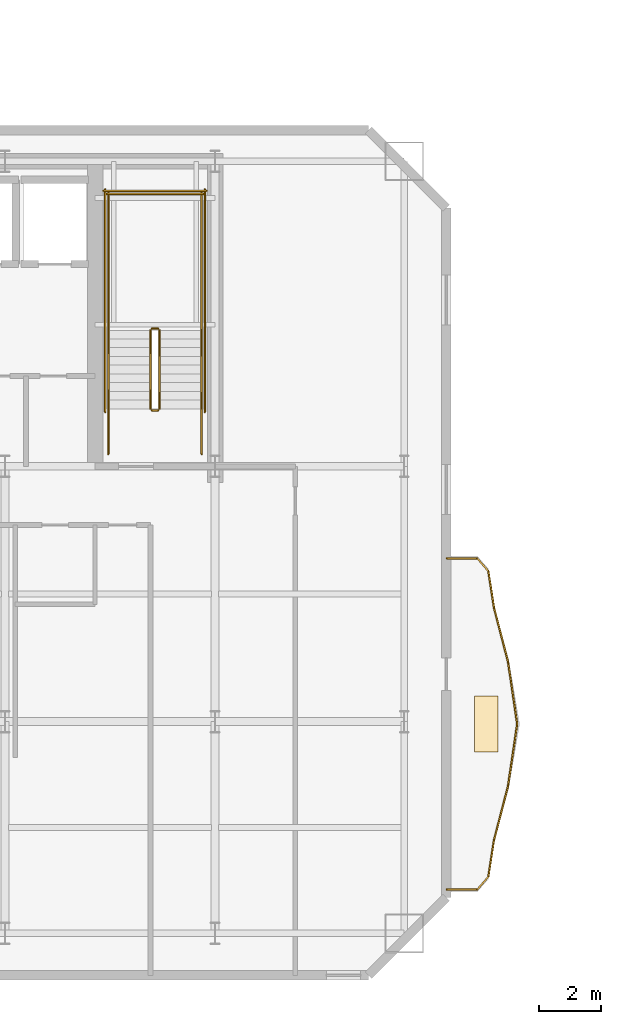
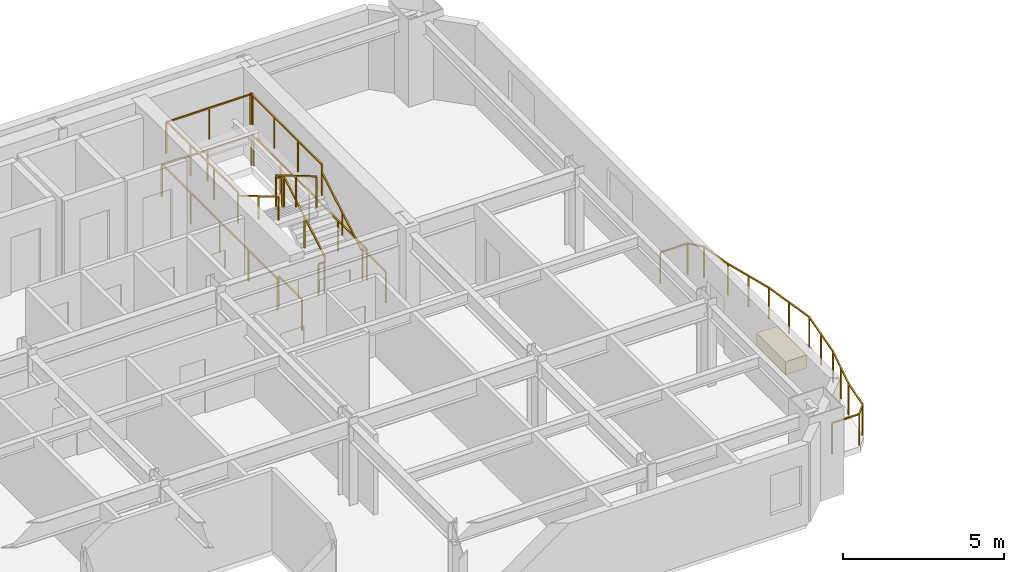
# One storey, part 11 of 14: 24 railings, 1 covering.
"""IFC4 building model written with IfcOpenShell, lengths in metres."""

from ifc_helpers import new_model, si_unit, direction, frame, origin, origin_2d, place, context, subcontext, project, spatial, rectangle, extrude, material, layer, layer_set, type_object, element, save


model = new_model("IFC4")

# Units and contexts
model_context = context("Model", 3, precision=1e-05, world=origin(), true_north=direction((0.0, 1.0)))
body_context = subcontext(model_context, "Body", "Model", "MODEL_VIEW")
ifc_project = project(units=[si_unit("LENGTHUNIT", "METRE"), si_unit("AREAUNIT", "SQUARE_METRE"), si_unit("VOLUMEUNIT", "CUBIC_METRE"), si_unit("PLANEANGLEUNIT", "RADIAN"), si_unit("MASSUNIT", "GRAM", prefix="KILO")], contexts=[model_context])

# Site, building, storey
site_placement = place(None, origin())
site = spatial("IfcSite", under=ifc_project, at=site_placement, CompositionType="ELEMENT")
building_placement = place(site_placement, origin())
building = spatial("IfcBuilding", under=site, at=building_placement, Name="Haevon Station Towers", CompositionType="ELEMENT")
storey_placement = place(building_placement, frame((0.0, 0.0, 169.199951171875)))
storey = spatial("IfcBuildingStorey", under=building, at=storey_placement, Name="L46", CompositionType="ELEMENT", Elevation=169.199951171875)

# Railings
ifc_material_1 = material(Name="Steel S355", Category="steel")
railing_type_1 = type_object("IfcRailingType", Name="GRD-EXT1200", PredefinedType="GUARDRAIL", material=ifc_material_1)
railing_1_placement = place(storey_placement, frame((58.448486328125, 24.602783203125, 0.0)))
element("IfcRailing", 1, at=railing_1_placement, inside=storey, type_object=railing_type_1, Name="L46 Perimeter Guardrail 1", PredefinedType="GUARDRAIL", context=body_context, shape_type="SweptSolid", body=[
    extrude(rectangle(XDim=0.048095703125, YDim=0.048095703125, at=origin_2d()), frame((0.0, 0.0, 1.17578125), z_axis=(0.999997457331, 0.002255068182, 0.0), x_axis=(-0.002255068182, 0.999997457331, 0.0)), (0.0, 0.0, 1.0), 0.974365234375),
    extrude(rectangle(XDim=0.0419921875, YDim=0.0419921875, at=origin_2d()), origin(), (0.0, 0.0, 1.0), 1.15185546875),
    extrude(rectangle(XDim=0.0419921875, YDim=0.0419921875, at=origin_2d()), frame((0.974365234375, 0.002197265625, 0.0)), (0.0, 0.0, 1.0), 1.15185546875),
])
railing_2_placement = place(storey_placement, frame((59.4228515625, 24.60498046875, 0.0)))
element("IfcRailing", 2, at=railing_2_placement, inside=storey, type_object=railing_type_1, Name="L46 Perimeter Guardrail 2", PredefinedType="GUARDRAIL", context=body_context, shape_type="SweptSolid", body=[
    extrude(rectangle(XDim=0.048095703125, YDim=0.048095703125, at=origin_2d()), frame((0.0, 0.0, 1.17578125), z_axis=(0.65275272143, 0.757571042652, 0.0), x_axis=(-0.757571042652, 0.65275272143, 0.0)), (0.0, 0.0, 1.0), 0.542724609375),
    extrude(rectangle(XDim=0.0419921875, YDim=0.0419921875, at=origin_2d()), origin(), (0.0, 0.0, 1.0), 1.15185546875),
    extrude(rectangle(XDim=0.0419921875, YDim=0.0419921875, at=origin_2d()), frame((0.354248046875, 0.4111328125, 0.0)), (0.0, 0.0, 1.0), 1.15185546875),
])
railing_3_placement = place(storey_placement, frame((59.777099609375, 25.01611328125, 0.0)))
element("IfcRailing", 3, at=railing_3_placement, inside=storey, type_object=railing_type_1, Name="L46 Perimeter Guardrail 3", PredefinedType="GUARDRAIL", context=body_context, shape_type="SweptSolid", body=[
    extrude(rectangle(XDim=0.048095703125, YDim=0.048095703125, at=origin_2d()), frame((0.0, 0.0, 1.17578125), z_axis=(0.152150136811, 0.988357392783, 0.0), x_axis=(-0.988357392783, 0.152150136811, 0.0)), (0.0, 0.0, 1.0), 1.18408203125),
    extrude(rectangle(XDim=0.0419921875, YDim=0.0419921875, at=origin_2d()), origin(), (0.0, 0.0, 1.0), 1.15185546875),
    extrude(rectangle(XDim=0.0419921875, YDim=0.0419921875, at=origin_2d()), frame((0.18017578125, 1.17041015625, 0.0)), (0.0, 0.0, 1.0), 1.15185546875),
])
railing_4_placement = place(storey_placement, frame((59.957275390625, 26.1865234375, 0.0)))
element("IfcRailing", 4, at=railing_4_placement, inside=storey, type_object=railing_type_1, Name="L46 Perimeter Guardrail 4", PredefinedType="GUARDRAIL", context=body_context, shape_type="SweptSolid", body=[
    extrude(rectangle(XDim=0.048095703125, YDim=0.048095703125, at=origin_2d()), frame((0.0, 0.0, 1.17578125), z_axis=(0.251243717218, 0.967923857831, 0.0), x_axis=(-0.967923857831, 0.251243717218, 0.0)), (0.0, 0.0, 1.0), 1.805419921875),
    extrude(rectangle(XDim=0.0419921875, YDim=0.0419921875, at=origin_2d()), origin(), (0.0, 0.0, 1.0), 1.15185546875),
    extrude(rectangle(XDim=0.0419921875, YDim=0.0419921875, at=origin_2d()), frame((0.226806640625, 0.873779296875, 0.0)), (0.0, 0.0, 1.0), 1.15185546875),
    extrude(rectangle(XDim=0.0419921875, YDim=0.0419921875, at=origin_2d()), frame((0.45361328125, 1.74755859375, 0.0)), (0.0, 0.0, 1.0), 1.15185546875),
])
railing_5_placement = place(storey_placement, frame((60.410888671875, 27.93408203125, 0.0)))
element("IfcRailing", 5, at=railing_5_placement, inside=storey, type_object=railing_type_1, Name="L46 Perimeter Guardrail 5", PredefinedType="GUARDRAIL", context=body_context, shape_type="SweptSolid", body=[
    extrude(rectangle(XDim=0.048095703125, YDim=0.048095703125, at=origin_2d()), frame((0.0, 0.0, 1.17578125), z_axis=(0.14558130584, 0.989346290937, 0.0), x_axis=(-0.989346290937, 0.14558130584, 0.0)), (0.0, 0.0, 1.0), 2.012451171875),
    extrude(rectangle(XDim=0.0419921875, YDim=0.0419921875, at=origin_2d()), origin(), (0.0, 0.0, 1.0), 1.15185546875),
    extrude(rectangle(XDim=0.0419921875, YDim=0.0419921875, at=origin_2d()), frame((0.146484375, 0.99560546875, 0.0)), (0.0, 0.0, 1.0), 1.15185546875),
    extrude(rectangle(XDim=0.0419921875, YDim=0.0419921875, at=origin_2d()), frame((0.29296875, 1.990966796875, 0.0)), (0.0, 0.0, 1.0), 1.15185546875),
])
railing_6_placement = place(storey_placement, frame((60.703857421875, 29.925048828125, 0.0)))
element("IfcRailing", 6, at=railing_6_placement, inside=storey, type_object=railing_type_1, Name="L46 Perimeter Guardrail 6", PredefinedType="GUARDRAIL", context=body_context, shape_type="SweptSolid", body=[
    extrude(rectangle(XDim=0.048095703125, YDim=0.048095703125, at=origin_2d()), frame((0.0, 0.0, 1.17578125), z_axis=(-0.14558130584, 0.989346290937, 0.0), x_axis=(-0.989346290937, -0.14558130584, 0.0)), (0.0, 0.0, 1.0), 2.012451171875),
    extrude(rectangle(XDim=0.0419921875, YDim=0.0419921875, at=origin_2d()), origin(), (0.0, 0.0, 1.0), 1.15185546875),
    extrude(rectangle(XDim=0.0419921875, YDim=0.0419921875, at=origin_2d()), frame((-0.146484375, 0.99560546875, 0.0)), (0.0, 0.0, 1.0), 1.15185546875),
    extrude(rectangle(XDim=0.0419921875, YDim=0.0419921875, at=origin_2d()), frame((-0.29296875, 1.990966796875, 0.0)), (0.0, 0.0, 1.0), 1.15185546875),
])
railing_7_placement = place(storey_placement, frame((60.410888671875, 31.916015625, 0.0)))
element("IfcRailing", 7, at=railing_7_placement, inside=storey, type_object=railing_type_1, Name="L46 Perimeter Guardrail 7", PredefinedType="GUARDRAIL", context=body_context, shape_type="SweptSolid", body=[
    extrude(rectangle(XDim=0.048095703125, YDim=0.048095703125, at=origin_2d()), frame((0.0, 0.0, 1.17578125), z_axis=(-0.251243717218, 0.967923857831, 0.0), x_axis=(-0.967923857831, -0.251243717218, 0.0)), (0.0, 0.0, 1.0), 1.805419921875),
    extrude(rectangle(XDim=0.0419921875, YDim=0.0419921875, at=origin_2d()), origin(), (0.0, 0.0, 1.0), 1.15185546875),
    extrude(rectangle(XDim=0.0419921875, YDim=0.0419921875, at=origin_2d()), frame((-0.226806640625, 0.873779296875, 0.0)), (0.0, 0.0, 1.0), 1.15185546875),
    extrude(rectangle(XDim=0.0419921875, YDim=0.0419921875, at=origin_2d()), frame((-0.45361328125, 1.74755859375, 0.0)), (0.0, 0.0, 1.0), 1.15185546875),
])
railing_8_placement = place(storey_placement, frame((59.957275390625, 33.66357421875, 0.0)))
element("IfcRailing", 8, at=railing_8_placement, inside=storey, type_object=railing_type_1, Name="L46 Perimeter Guardrail 8", PredefinedType="GUARDRAIL", context=body_context, shape_type="SweptSolid", body=[
    extrude(rectangle(XDim=0.048095703125, YDim=0.048095703125, at=origin_2d()), frame((0.0, 0.0, 1.17578125), z_axis=(-0.152150136811, 0.988357392783, 0.0), x_axis=(-0.988357392783, -0.152150136811, 0.0)), (0.0, 0.0, 1.0), 1.18408203125),
    extrude(rectangle(XDim=0.0419921875, YDim=0.0419921875, at=origin_2d()), origin(), (0.0, 0.0, 1.0), 1.15185546875),
    extrude(rectangle(XDim=0.0419921875, YDim=0.0419921875, at=origin_2d()), frame((-0.18017578125, 1.17041015625, 0.0)), (0.0, 0.0, 1.0), 1.15185546875),
])
railing_9_placement = place(storey_placement, frame((59.777099609375, 34.833984375, 0.0)))
element("IfcRailing", 9, at=railing_9_placement, inside=storey, type_object=railing_type_1, Name="L46 Perimeter Guardrail 9", PredefinedType="GUARDRAIL", context=body_context, shape_type="SweptSolid", body=[
    extrude(rectangle(XDim=0.048095703125, YDim=0.048095703125, at=origin_2d()), frame((0.0, 0.0, 1.17578125), z_axis=(-0.65275272143, 0.757571042652, 0.0), x_axis=(-0.757571042652, -0.65275272143, 0.0)), (0.0, 0.0, 1.0), 0.542724609375),
    extrude(rectangle(XDim=0.0419921875, YDim=0.0419921875, at=origin_2d()), origin(), (0.0, 0.0, 1.0), 1.15185546875),
    extrude(rectangle(XDim=0.0419921875, YDim=0.0419921875, at=origin_2d()), frame((-0.354248046875, 0.4111328125, 0.0)), (0.0, 0.0, 1.0), 1.15185546875),
])
railing_10_placement = place(storey_placement, frame((59.4228515625, 35.2451171875, 0.0)))
element("IfcRailing", 10, at=railing_10_placement, inside=storey, type_object=railing_type_1, Name="L46 Perimeter Guardrail 10", PredefinedType="GUARDRAIL", context=body_context, shape_type="SweptSolid", body=[
    extrude(rectangle(XDim=0.048095703125, YDim=0.048095703125, at=origin_2d()), frame((0.0, 0.0, 1.17578125), z_axis=(-0.999997990976, 0.002004506121, 0.0), x_axis=(-0.002004506121, -0.999997990976, 0.0)), (0.0, 0.0, 1.0), 0.974365234375),
    extrude(rectangle(XDim=0.0419921875, YDim=0.0419921875, at=origin_2d()), origin(), (0.0, 0.0, 1.0), 1.15185546875),
    extrude(rectangle(XDim=0.0419921875, YDim=0.0419921875, at=origin_2d()), frame((-0.974365234375, 0.001953125, 0.0)), (0.0, 0.0, 1.0), 1.15185546875),
])
railing_type_2 = type_object("IfcRailingType", Name="GRD-STR1200", PredefinedType="GUARDRAIL", material=ifc_material_1)
railing_11_placement = place(storey_placement, frame((49.219970703125, 40.050048828125, 0.1650390625)))
element("IfcRailing", 11, at=railing_11_placement, inside=storey, type_object=railing_type_2, Name="L46 ST2 Stair Guard 1", PredefinedType="GUARDRAIL", context=body_context, shape_type="SweptSolid", body=[
    extrude(rectangle(XDim=0.048095703125, YDim=0.048095703125, at=origin_2d()), frame((0.0, 0.0, 1.17578125), z_axis=(0.0, 0.86152411907, 0.507716645641), x_axis=(-1.0, 0.0, 0.0)), (0.0, 0.0, 1.0), 2.925048828125),
    extrude(rectangle(XDim=0.0419921875, YDim=0.0419921875, at=origin_2d()), origin(), (0.0, 0.0, 1.0), 1.15185546875),
    extrude(rectangle(XDim=0.0419921875, YDim=0.0419921875, at=origin_2d()), frame((0.0, 1.260009765625, 0.74267578125)), (0.0, 0.0, 1.0), 1.15185546875),
    extrude(rectangle(XDim=0.0419921875, YDim=0.0419921875, at=origin_2d()), frame((0.0, 2.52001953125, 1.485107421875)), (0.0, 0.0, 1.0), 1.15185546875),
])
railing_12_placement = place(storey_placement, frame((49.169921875, 42.6201171875, 1.650146484375)))
element("IfcRailing", 12, at=railing_12_placement, inside=storey, type_object=railing_type_2, Name="L46 ST2 Stair Guard 2", PredefinedType="GUARDRAIL", context=body_context, shape_type="SweptSolid", body=[
    extrude(rectangle(XDim=0.048095703125, YDim=0.048095703125, at=origin_2d()), frame((0.0, 0.0, 1.17578125), z_axis=(-1.0, 0.0, 0.0), x_axis=(0.0, -1.0, 0.0)), (0.0, 0.0, 1.0), 0.199951171875),
    extrude(rectangle(XDim=0.0419921875, YDim=0.0419921875, at=origin_2d()), origin(), (0.0, 0.0, 1.0), 1.15185546875),
    extrude(rectangle(XDim=0.0419921875, YDim=0.0419921875, at=origin_2d()), frame((-0.199951171875, 0.0, 0.0)), (0.0, 0.0, 1.0), 1.15185546875),
])
for number, where, name in (
    (13, (50.570068359375, 42.570068359375, 1.650146484375), "L46 ST2 Stair Guard 3"),
    (14, (47.570068359375, 42.570068359375, 1.650146484375), "L46 ST2 Stair Guard 4"),
):
    element("IfcRailing", number, at=place(storey_placement, frame(where)), inside=storey, type_object=railing_type_2, Name=name, PredefinedType="GUARDRAIL", context=body_context, shape_type="SweptSolid", body=[
        extrude(rectangle(XDim=0.048095703125, YDim=0.048095703125, at=origin_2d()), frame((0.0, 0.0, 1.17578125), z_axis=(0.0, 1.0, 0.0), x_axis=(-1.0, 0.0, 0.0)), (0.0, 0.0, 1.0), 4.429931640625),
        extrude(rectangle(XDim=0.0419921875, YDim=0.0419921875, at=origin_2d()), origin(), (0.0, 0.0, 1.0), 1.15185546875),
        extrude(rectangle(XDim=0.0419921875, YDim=0.0419921875, at=origin_2d()), frame((0.0, 1.4765625, 0.0)), (0.0, 0.0, 1.0), 1.15185546875),
        extrude(rectangle(XDim=0.0419921875, YDim=0.0419921875, at=origin_2d()), frame((0.0, 2.953369140625, 0.0)), (0.0, 0.0, 1.0), 1.15185546875),
        extrude(rectangle(XDim=0.0419921875, YDim=0.0419921875, at=origin_2d()), frame((0.0, 4.429931640625, 0.0)), (0.0, 0.0, 1.0), 1.15185546875),
    ])
railing_13_placement = place(storey_placement, frame((50.6201171875, 46.949951171875, 1.650146484375)))
element("IfcRailing", 15, at=railing_13_placement, inside=storey, type_object=railing_type_2, Name="L46 ST2 Stair Guard 5", PredefinedType="GUARDRAIL", context=body_context, shape_type="SweptSolid", body=[
    extrude(rectangle(XDim=0.048095703125, YDim=0.048095703125, at=origin_2d()), frame((0.0, 0.0, 1.17578125), z_axis=(-1.0, 0.0, 0.0), x_axis=(0.0, -1.0, 0.0)), (0.0, 0.0, 1.0), 3.10009765625),
    extrude(rectangle(XDim=0.0419921875, YDim=0.0419921875, at=origin_2d()), origin(), (0.0, 0.0, 1.0), 1.15185546875),
    extrude(rectangle(XDim=0.0419921875, YDim=0.0419921875, at=origin_2d()), frame((-1.550048828125, 0.0, 0.0)), (0.0, 0.0, 1.0), 1.15185546875),
    extrude(rectangle(XDim=0.0419921875, YDim=0.0419921875, at=origin_2d()), frame((-3.10009765625, 0.0, 0.0)), (0.0, 0.0, 1.0), 1.15185546875),
])
railing_14_placement = place(storey_placement, frame((48.919921875, 42.570068359375, 1.81494140625)))
element("IfcRailing", 16, at=railing_14_placement, inside=storey, type_object=railing_type_2, Name="L46 ST2 Stair Guard 6", PredefinedType="GUARDRAIL", context=body_context, shape_type="SweptSolid", body=[
    extrude(rectangle(XDim=0.048095703125, YDim=0.048095703125, at=origin_2d()), frame((0.0, 0.0, 1.17578125), z_axis=(0.0, -0.86152411907, 0.507716645641), x_axis=(1.0, 0.0, 0.0)), (0.0, 0.0, 1.0), 2.925048828125),
    extrude(rectangle(XDim=0.0419921875, YDim=0.0419921875, at=origin_2d()), origin(), (0.0, 0.0, 1.0), 1.15185546875),
    extrude(rectangle(XDim=0.0419921875, YDim=0.0419921875, at=origin_2d()), frame((0.0, -1.260009765625, 0.74267578125)), (0.0, 0.0, 1.0), 1.15185546875),
    extrude(rectangle(XDim=0.0419921875, YDim=0.0419921875, at=origin_2d()), frame((0.0, -2.52001953125, 1.485107421875)), (0.0, 0.0, 1.0), 1.15185546875),
])
railing_15_placement = place(storey_placement, frame((49.169921875, 40.0, 0.0)))
element("IfcRailing", 17, at=railing_15_placement, inside=storey, type_object=railing_type_2, Name="L46 ST2 Stair Guard 7", PredefinedType="GUARDRAIL", context=body_context, shape_type="SweptSolid", body=[
    extrude(rectangle(XDim=0.048095703125, YDim=0.048095703125, at=origin_2d()), frame((0.0, 0.0, 1.17578125), z_axis=(-1.0, 0.0, 0.0), x_axis=(0.0, -1.0, 0.0)), (0.0, 0.0, 1.0), 0.199951171875),
    extrude(rectangle(XDim=0.0419921875, YDim=0.0419921875, at=origin_2d()), origin(), (0.0, 0.0, 1.0), 1.15185546875),
    extrude(rectangle(XDim=0.0419921875, YDim=0.0419921875, at=origin_2d()), frame((-0.199951171875, 0.0, 0.0)), (0.0, 0.0, 1.0), 1.15185546875),
])
for number, where, name in (
    (18, (50.570068359375, 38.60009765625, 0.0), "L46 ST2 Stair Guard 8"),
    (19, (47.570068359375, 38.60009765625, 0.0), "L46 ST2 Stair Guard 9"),
):
    element("IfcRailing", number, at=place(storey_placement, frame(where)), inside=storey, type_object=railing_type_2, Name=name, PredefinedType="GUARDRAIL", context=body_context, shape_type="SweptSolid", body=[
        extrude(rectangle(XDim=0.048095703125, YDim=0.048095703125, at=origin_2d()), frame((0.0, 0.0, 1.17578125), z_axis=(0.0, 1.0, 0.0), x_axis=(-1.0, 0.0, 0.0)), (0.0, 0.0, 1.0), 1.449951171875),
        extrude(rectangle(XDim=0.0419921875, YDim=0.0419921875, at=origin_2d()), origin(), (0.0, 0.0, 1.0), 1.15185546875),
        extrude(rectangle(XDim=0.0419921875, YDim=0.0419921875, at=origin_2d()), frame((0.0, 1.449951171875, 0.0)), (0.0, 0.0, 1.0), 1.15185546875),
    ])
for number, where, name in (
    (20, (50.669921875, 39.949951171875, 0.0), "L46 ST2 Stair Guard 10"),
    (21, (47.469970703125, 39.949951171875, 0.0), "L46 ST2 Stair Guard 11"),
):
    element("IfcRailing", number, at=place(storey_placement, frame(where)), inside=storey, type_object=railing_type_2, Name=name, PredefinedType="GUARDRAIL", context=body_context, shape_type="SweptSolid", body=[
        extrude(rectangle(XDim=0.048095703125, YDim=0.048095703125, at=origin_2d()), frame((0.0, 0.0, 1.17578125), z_axis=(0.0, 1.0, 0.0), x_axis=(-1.0, 0.0, 0.0)), (0.0, 0.0, 1.0), 7.150146484375),
        extrude(rectangle(XDim=0.0419921875, YDim=0.0419921875, at=origin_2d()), origin(), (0.0, 0.0, 1.0), 1.15185546875),
        extrude(rectangle(XDim=0.0419921875, YDim=0.0419921875, at=origin_2d()), frame((0.0, 1.78759765625, 0.0)), (0.0, 0.0, 1.0), 1.15185546875),
        extrude(rectangle(XDim=0.0419921875, YDim=0.0419921875, at=origin_2d()), frame((0.0, 3.5751953125, 0.0)), (0.0, 0.0, 1.0), 1.15185546875),
        extrude(rectangle(XDim=0.0419921875, YDim=0.0419921875, at=origin_2d()), frame((0.0, 5.362548828125, 0.0)), (0.0, 0.0, 1.0), 1.15185546875),
        extrude(rectangle(XDim=0.0419921875, YDim=0.0419921875, at=origin_2d()), frame((0.0, 7.150146484375, 0.0)), (0.0, 0.0, 1.0), 1.15185546875),
    ])
railing_16_placement = place(storey_placement, frame((50.719970703125, 47.050048828125, 0.0)))
element("IfcRailing", 22, at=railing_16_placement, inside=storey, type_object=railing_type_2, Name="L46 ST2 Stair Guard 12", PredefinedType="GUARDRAIL", context=body_context, shape_type="SweptSolid", body=[
    extrude(rectangle(XDim=0.048095703125, YDim=0.048095703125, at=origin_2d()), frame((0.0, 0.0, 1.17578125), z_axis=(-1.0, 0.0, 0.0), x_axis=(0.0, -1.0, 0.0)), (0.0, 0.0, 1.0), 3.300048828125),
    extrude(rectangle(XDim=0.0419921875, YDim=0.0419921875, at=origin_2d()), origin(), (0.0, 0.0, 1.0), 1.15185546875),
    extrude(rectangle(XDim=0.0419921875, YDim=0.0419921875, at=origin_2d()), frame((-1.64990234375, 0.0, 0.0)), (0.0, 0.0, 1.0), 1.15185546875),
    extrude(rectangle(XDim=0.0419921875, YDim=0.0419921875, at=origin_2d()), frame((-3.300048828125, 0.0, 0.0)), (0.0, 0.0, 1.0), 1.15185546875),
])
railing_type_3 = type_object("IfcRailingType", Name="HND-STR900", PredefinedType="HANDRAIL", material=ifc_material_1)
railing_17_placement = place(storey_placement, frame((50.570068359375, 40.050048828125, 0.1650390625)))
element("IfcRailing", 23, at=railing_17_placement, inside=storey, type_object=railing_type_3, Name="L46 ST2 Stair Handrail 1", PredefinedType="HANDRAIL", context=body_context, shape_type="SweptSolid", body=[
    extrude(rectangle(XDim=0.048095703125, YDim=0.048095703125, at=origin_2d()), frame((0.0, 0.0, 0.8759765625), z_axis=(0.0, 0.86152411907, 0.507716645641), x_axis=(-1.0, 0.0, 0.0)), (0.0, 0.0, 1.0), 2.925048828125),
    extrude(rectangle(XDim=0.0419921875, YDim=0.0419921875, at=origin_2d()), origin(), (0.0, 0.0, 1.0), 0.851806640625),
    extrude(rectangle(XDim=0.0419921875, YDim=0.0419921875, at=origin_2d()), frame((0.0, 1.260009765625, 0.74267578125)), (0.0, 0.0, 1.0), 0.851806640625),
    extrude(rectangle(XDim=0.0419921875, YDim=0.0419921875, at=origin_2d()), frame((0.0, 2.52001953125, 1.485107421875)), (0.0, 0.0, 1.0), 0.851806640625),
])
railing_18_placement = place(storey_placement, frame((47.570068359375, 42.570068359375, 1.81494140625)))
element("IfcRailing", 24, at=railing_18_placement, inside=storey, type_object=railing_type_3, Name="L46 ST2 Stair Handrail 2", PredefinedType="HANDRAIL", context=body_context, shape_type="SweptSolid", body=[
    extrude(rectangle(XDim=0.048095703125, YDim=0.048095703125, at=origin_2d()), frame((0.0, 0.0, 0.8759765625), z_axis=(0.0, -0.86152411907, 0.507716645641), x_axis=(1.0, 0.0, 0.0)), (0.0, 0.0, 1.0), 2.925048828125),
    extrude(rectangle(XDim=0.0419921875, YDim=0.0419921875, at=origin_2d()), origin(), (0.0, 0.0, 1.0), 0.851806640625),
    extrude(rectangle(XDim=0.0419921875, YDim=0.0419921875, at=origin_2d()), frame((0.0, -1.260009765625, 0.74267578125)), (0.0, 0.0, 1.0), 0.851806640625),
    extrude(rectangle(XDim=0.0419921875, YDim=0.0419921875, at=origin_2d()), frame((0.0, -2.52001953125, 1.485107421875)), (0.0, 0.0, 1.0), 0.851806640625),
])

# Covering
ifc_material_2 = material(Name="Architectural planter GRC", Category="concrete")
ifc_layer = layer(ifc_material_2, 0.550048828125)
ifc_layer_set = layer_set([ifc_layer], Name="Architectural planter GRC")
covering_type = type_object("IfcCoveringType", Name="PLN-GRC550", PredefinedType="MOLDING", material=ifc_layer_set)
covering_placement = place(storey_placement, frame((59.71240234375, 29.925048828125, 0.0), z_axis=(0.0, 0.0, 1.0), x_axis=(1.0, 0.0, 0.0)))
element("IfcCovering", 25, at=covering_placement, inside=storey, type_object=covering_type, Name="Tower 1 L46 Scalloped Balcony PLANTER", PredefinedType="MOLDING", context=body_context, shape_type="SweptSolid", body=[
    extrude(rectangle(XDim=0.75, YDim=1.800048828125, at=origin_2d()), origin(), (0.0, 0.0, 1.0), 0.5),
])

save(model, "model.ifc")
